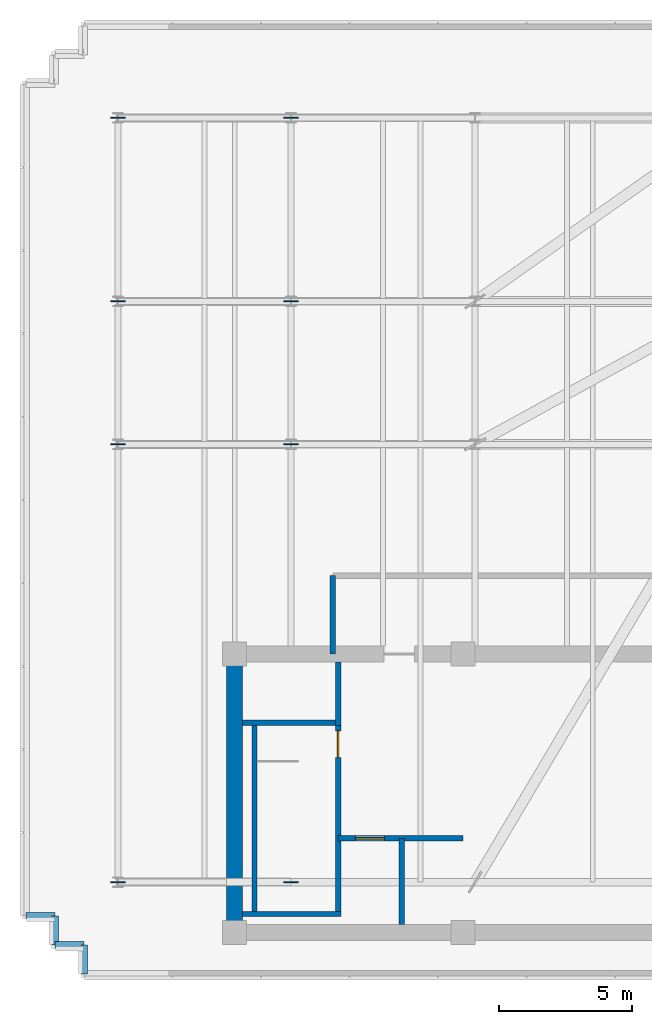
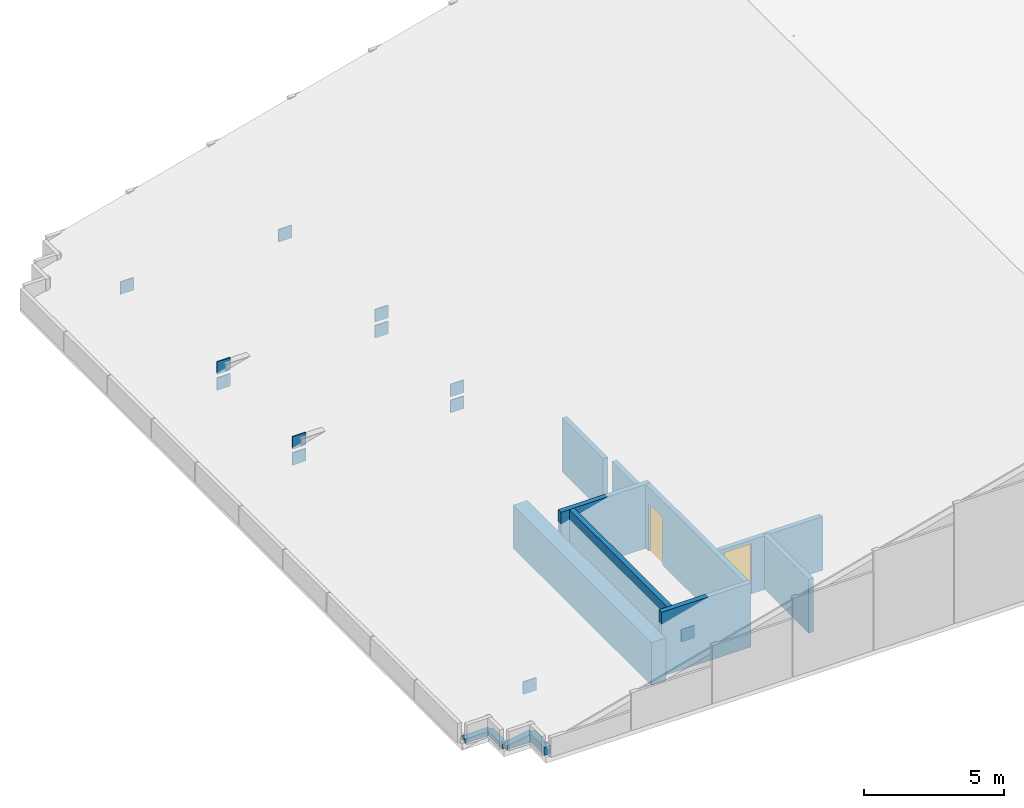
# One storey, part 4 of 6: 13 walls, 12 plates, 2 doors, 2 openings.
"""IFC4 building model written with IfcOpenShell, lengths in metres."""

from ifc_helpers import new_model, si_unit, direction, frame, frame_2d, origin, origin_2d, place, context, subcontext, project, spatial, polyline, rectangle, outline, extrude, material, layer, layer_set, type_object, element, fill, save


model = new_model("IFC4")

# Units and contexts
model_context = context("Model", 3, precision=1e-05, world=origin(), true_north=direction((0.0, 1.0)))
body_context = subcontext(model_context, "Body", "Model", "MODEL_VIEW")
ifc_project = project(units=[si_unit("LENGTHUNIT", "METRE"), si_unit("AREAUNIT", "SQUARE_METRE"), si_unit("VOLUMEUNIT", "CUBIC_METRE"), si_unit("PLANEANGLEUNIT", "RADIAN"), si_unit("MASSUNIT", "GRAM", prefix="KILO")], contexts=[model_context])

# Site, building, storey
site_placement = place(None, origin())
site = spatial("IfcSite", under=ifc_project, at=site_placement, CompositionType="ELEMENT")
building_placement = place(site_placement, origin())
building = spatial("IfcBuilding", under=site, at=building_placement, Name="Solmavex Isthmus Hotel", CompositionType="ELEMENT")
storey_placement = place(building_placement, frame((0.0, 0.0, 308.39990234375)))
storey = spatial("IfcBuildingStorey", under=building, at=storey_placement, Name="Roof", CompositionType="ELEMENT", Elevation=308.39990234375)

# Plates
ifc_material_1 = material(Name="Steel ASTM A572 Grade 50", Category="steel")
ifc_layer_1 = layer(ifc_material_1, 0.0400390625)
ifc_layer_set_1 = layer_set([ifc_layer_1], Name="Steel ASTM A572 Grade 50")
plate_type = type_object("IfcPlateType", Name="PLT-STIFF-40", PredefinedType="USERDEFINED", material=ifc_layer_set_1)
for number, where, z_axis, x_axis, name in (
    (1, (-20.39990234375, -11.10009765625, 0.17529296875), (0.0, 0.0, 1.0), (1.0, 0.0, 0.0), "Crown Hollow Strut End Plate 011"),
    (2, (-13.8720703125, -11.10009765625, 0.17529296875), (0.0, 0.0, 1.0), (1.0, 0.0, 0.0), "Crown Hollow Strut End Plate 012"),
    (3, (-20.39990234375, 5.39990234375, 0.17529296875), (0.0, 0.0, 1.0), (1.0, 0.0, 0.0), "Crown Hollow Strut End Plate 013"),
    (4, (-13.8720703125, 5.39990234375, 0.17529296875), (0.0, 0.0, 1.0), (1.0, 0.0, 0.0), "Crown Hollow Strut End Plate 014"),
    (5, (-20.39990234375, 5.39990234375, 0.875), (0.0, 0.0, 1.0), (1.0, 0.0, 0.0), "Crown Hollow Strut End Plate 015"),
    (6, (-13.8720703125, 5.39990234375, 0.875), (0.0, 0.0, 1.0), (1.0, 0.0, 0.0), "Crown Hollow Strut End Plate 016"),
    (7, (-20.39990234375, 10.7880859375, 0.17529296875), (0.0, 0.0, 1.0), (1.0, 0.0, 0.0), "Crown Hollow Strut End Plate 017"),
    (8, (-13.8720703125, 10.7880859375, 0.17529296875), (0.0, 0.0, 1.0), (1.0, 0.0, 0.0), "Crown Hollow Strut End Plate 018"),
    (9, (-20.39990234375, 10.7880859375, 0.875), (0.0, 0.0, 1.0), (1.0, 0.0, 0.0), "Crown Hollow Strut End Plate 019"),
    (10, (-13.8720703125, 10.7880859375, 0.875), (0.0, 0.0, 1.0), (1.0, 0.0, 0.0), "Crown Hollow Strut End Plate 020"),
    (11, (-20.39990234375, 17.699951171875, 0.17529296875), (0.0, 0.0, 1.0), (1.0, 0.0, 0.0), "Crown Hollow Strut End Plate 021"),
    (12, (-13.8720703125, 17.699951171875, 0.17529296875), (0.0, 0.0, 1.0), (1.0, 0.0, 0.0), "Crown Hollow Strut End Plate 022"),
):
    element("IfcPlate", number, at=place(storey_placement, frame(where, z_axis=z_axis, x_axis=x_axis)), inside=storey, type_object=plate_type, Name=name, ObjectType="STIFFENER_PLATE", PredefinedType="USERDEFINED", context=body_context, shape_type="SweptSolid", body=[
        extrude(rectangle(XDim=0.550048828125, YDim=0.0400390625, at=origin_2d()), origin(), (0.0, 0.0, 1.0), 0.550048828125),
    ])

# Walls
ifc_material_2 = material(Name="Precast Concrete C40/50", Category="concrete")
ifc_layer_2 = layer(ifc_material_2, 0.260009765625)
ifc_layer_set_2 = layer_set([ifc_layer_2], Name="Precast Concrete C40/50")
wall_type_1 = type_object("IfcWallType", Name="EW-CRN-260", PredefinedType="STANDARD", material=ifc_layer_set_2)
wall_1_placement = place(storey_placement, frame((-21.669921875, -14.570068359375, 0.0), z_axis=(0.0, 0.0, 1.0), x_axis=(0.0, 1.0, 0.0)))
element("IfcWall", 13, at=wall_1_placement, inside=storey, type_object=wall_type_1, Name="Sloped Crown Gable Louvre Wall G02", PredefinedType="STANDARD", context=body_context, shape_type="SweptSolid", body=[
    extrude(outline(polyline([(0.0, 0.0), (1.10009765625, 0.0), (1.10009765625, 0.355224609375), (0.0, 0.355224609375), (0.0, 0.0)])), frame((0.0, 0.1298828125, 0.0), z_axis=(0.0, -1.0, 0.0), x_axis=(1.0, 0.0, 0.0)), (0.0, 0.0, 1.0), 0.260009765625),
])
wall_2_placement = place(storey_placement, frame((-21.669921875, -13.469970703125, 0.0), z_axis=(0.0, 0.0, 1.0), x_axis=(-1.0, 0.0, 0.0)))
element("IfcWall", 14, at=wall_2_placement, inside=storey, type_object=wall_type_1, Name="Sloped Crown Gable Louvre Wall G03", PredefinedType="STANDARD", context=body_context, shape_type="SweptSolid", body=[
    extrude(outline(polyline([(0.0, 0.0), (1.10009765625, 0.0), (1.10009765625, 0.18017578125), (0.0, 0.355224609375), (0.0, 0.0)])), frame((0.0, 0.1298828125, 0.0), z_axis=(0.0, -1.0, 0.0), x_axis=(1.0, 0.0, 0.0)), (0.0, 0.0, 1.0), 0.260009765625),
])
wall_3_placement = place(storey_placement, frame((-22.77001953125, -13.469970703125, 0.0), z_axis=(0.0, 0.0, 1.0), x_axis=(0.0, 1.0, 0.0)))
element("IfcWall", 15, at=wall_3_placement, inside=storey, type_object=wall_type_1, Name="Sloped Crown Gable Louvre Wall G04", PredefinedType="STANDARD", context=body_context, shape_type="SweptSolid", body=[
    extrude(outline(polyline([(0.0, 0.0), (1.099853515625, 0.0), (1.10009765625, 0.18017578125), (0.0, 0.18017578125), (0.0, 0.0)])), frame((0.0, 0.1298828125, 0.0), z_axis=(0.0, -1.0, 0.0), x_axis=(1.0, 0.0, 0.0)), (0.0, 0.0, 1.0), 0.260009765625),
])
wall_4_placement = place(storey_placement, frame((-22.77001953125, -12.3701171875, 0.0), z_axis=(0.0, 0.0, 1.0), x_axis=(-1.0, 0.0, 0.0)))
element("IfcWall", 16, at=wall_4_placement, inside=storey, type_object=wall_type_1, Name="Sloped Crown Gable Louvre Wall G05", PredefinedType="STANDARD", context=body_context, shape_type="SweptSolid", body=[
    extrude(outline(polyline([(0.0, 0.0), (1.10009765625, 0.0), (1.10009765625, 0.18017578125), (0.0, 0.18017578125), (0.0, 0.0)])), frame((0.0, 0.1298828125, 0.0), z_axis=(0.0, -1.0, 0.0), x_axis=(1.0, 0.0, 0.0)), (0.0, 0.0, 1.0), 0.260009765625),
])
ifc_material_3 = material(Name="Concrete C40/50", Category="concrete")
ifc_layer_3 = layer(ifc_material_3, 0.199951171875)
ifc_layer_set_3 = layer_set([ifc_layer_3], Name="Concrete C40/50")
wall_type_2 = type_object("IfcWallType", Name="IW-SHAFT-200", PredefinedType="PARTITIONING", material=ifc_layer_set_3)
wall_5_placement = place(storey_placement, frame((-12.10009765625, -5.199951171875, 0.0), z_axis=(0.0, 0.0, 1.0), x_axis=(0.0, 1.0, 0.0)))
element("IfcWall", 17, at=wall_5_placement, inside=storey, type_object=wall_type_2, Name="Interior Partition Wall W-Roof-RSW-E", PredefinedType="PARTITIONING", context=body_context, shape_type="SweptSolid", body=[
    extrude(rectangle(XDim=2.39990234375, YDim=0.199951171875, at=frame_2d((1.199951171875, 0.0))), origin(), (0.0, 0.0, 1.0), 2.35009765625),
])

# Wall, opening, door
wall_6_placement = place(storey_placement, frame((-12.10009765625, -9.449951171875, 0.0), z_axis=(0.0, 0.0, 1.0), x_axis=(1.0, 0.0, 0.0)))
wall_6 = element("IfcWall", 18, at=wall_6_placement, inside=storey, type_object=wall_type_2, Name="Interior Partition Wall W-Roof-FFLW-S", PredefinedType="PARTITIONING", context=body_context, shape_type="SweptSolid", body=[
    extrude(rectangle(XDim=4.7001953125, YDim=0.199951171875, at=frame_2d((2.35009765625, 0.0))), origin(), (0.0, 0.0, 1.0), 2.35009765625),
])
opening_1_placement = place(wall_6_placement, frame((0.64990234375, 0.0, 0.0)))
opening_1 = element("IfcOpeningElement", 19, at=opening_1_placement, cuts=wall_6, Name="Opening LD-FF", PredefinedType="OPENING", context=body_context, shape_type="SweptSolid", body=[
    extrude(rectangle(XDim=1.10009765625, YDim=2.199951171875, at=frame_2d((0.550048828125, 1.10009765625))), frame((0.0, 0.10986328125, 0.0), z_axis=(0.0, -1.0, 0.0), x_axis=(1.0, 0.0, 0.0)), (0.0, 0.0, 1.0), 0.219970703125),
])
ifc_material_4 = material(Name="Stainless steel 316", Category="steel")
door_type_1 = type_object("IfcDoorType", Name="LDR-FF-1100", OperationType="NOTDEFINED", PredefinedType="DOOR", material=ifc_material_4)
door_1_placement = place(opening_1_placement, origin())
door_1 = element("IfcDoor", 20, at=door_1_placement, inside=storey, type_object=door_type_1, Name="Lift Landing Door FFL-1 Roof", OperationType="SLIDING_TO_LEFT", OverallHeight=2.199951171875, OverallWidth=1.10009765625, PredefinedType="DOOR", context=body_context, shape_type="SweptSolid", body=[
    extrude(rectangle(XDim=1.10009765625, YDim=2.199951171875, at=frame_2d((0.550048828125, 1.10009765625))), frame((0.0, 0.02490234375, 0.0), z_axis=(0.0, -1.0, 0.0), x_axis=(1.0, 0.0, 0.0)), (0.0, 0.0, 1.0), 0.050048828125),
])
fill(opening_1, door_1)

# Walls
wall_7_placement = place(storey_placement, frame((-9.699951171875, -12.699951171875, 0.0), z_axis=(0.0, 0.0, 1.0), x_axis=(0.0, 1.0, 0.0)))
element("IfcWall", 21, at=wall_7_placement, inside=storey, type_object=wall_type_2, Name="Interior Partition Wall W-Roof-FFLW-M", PredefinedType="PARTITIONING", context=body_context, shape_type="SweptSolid", body=[
    extrude(rectangle(XDim=3.25, YDim=0.199951171875, at=frame_2d((1.625, 0.0))), origin(), (0.0, 0.0, 1.0), 2.35009765625),
])
wall_8_placement = place(storey_placement, frame((-12.300048828125, -2.5, 0.0), z_axis=(0.0, 0.0, 1.0), x_axis=(0.0, 1.0, 0.0)))
element("IfcWall", 22, at=wall_8_placement, inside=storey, type_object=wall_type_2, Name="Interior Partition Wall W-Roof-MLOB-W", PredefinedType="PARTITIONING", context=body_context, shape_type="SweptSolid", body=[
    extrude(rectangle(XDim=2.949951171875, YDim=0.199951171875, at=frame_2d((1.47509765625, 0.0))), origin(), (0.0, 0.0, 1.0), 2.35009765625),
])
ifc_material_5 = material(Name="Concrete C50/60", Category="concrete")
ifc_layer_4 = layer(ifc_material_5, 0.60009765625)
ifc_layer_set_4 = layer_set([ifc_layer_4], Name="Concrete C50/60")
wall_type_3 = type_object("IfcWallType", Name="WALL-CW-600", PredefinedType="SHEAR", material=ifc_layer_set_4)
wall_9_placement = place(storey_placement, frame((-16.0, -12.699951171875, 0.0), z_axis=(0.0, 0.0, 1.0), x_axis=(0.0, 1.0, 0.0)))
element("IfcWall", 23, at=wall_9_placement, inside=storey, type_object=wall_type_3, Name="Core Shear Wall W Roof", PredefinedType="SHEAR", context=body_context, shape_type="SweptSolid", body=[
    extrude(rectangle(XDim=9.89990234375, YDim=0.60009765625, at=frame_2d((4.949951171875, 0.0))), origin(), (0.0, 0.0, 1.0), 1.87451171875),
])
ifc_layer_5 = layer(ifc_material_3, 0.199951171875)
ifc_layer_set_5 = layer_set([ifc_layer_5], Name="Concrete C40/50")
wall_type_4 = type_object("IfcWallType", Name="WALL-SW-200", PredefinedType="SOLIDWALL", material=ifc_layer_set_5)
for number, where, z_axis, x_axis, name in (
    (24, (-15.699951171875, -12.300048828125, 0.0), (0.0, 0.0, 1.0), (1.0, 0.0, 0.0), "Stairwell Structural Wall SW-Roof-ST1-S"),
    (25, (-15.699951171875, -5.10009765625, 0.0), (0.0, 0.0, 1.0), (1.0, 0.0, 0.0), "Stairwell Structural Wall SW-Roof-ST1-N"),
):
    element("IfcWall", number, at=place(storey_placement, frame(where, z_axis=z_axis, x_axis=x_axis)), inside=storey, type_object=wall_type_4, Name=name, PredefinedType="SOLIDWALL", context=body_context, shape_type="SweptSolid", body=[
        extrude(rectangle(XDim=3.699951171875, YDim=0.199951171875, at=frame_2d((1.85009765625, 0.0))), origin(), (0.0, 0.0, 1.0), 2.800048828125),
    ])
wall_10_placement = place(storey_placement, frame((-15.25, -12.199951171875, 0.0), z_axis=(0.0, 0.0, 1.0), x_axis=(0.0, 1.0, 0.0)))
element("IfcWall", 26, at=wall_10_placement, inside=storey, type_object=wall_type_4, Name="Stairwell Structural Wall SW-Roof-ST1-W", PredefinedType="SOLIDWALL", context=body_context, shape_type="SweptSolid", body=[
    extrude(rectangle(XDim=7.0, YDim=0.199951171875, at=frame_2d((3.5, 0.0))), origin(), (0.0, 0.0, 1.0), 2.800048828125),
])

# Wall, opening, door
wall_11_placement = place(storey_placement, frame((-12.10009765625, -12.199951171875, 0.0), z_axis=(0.0, 0.0, 1.0), x_axis=(0.0, 1.0, 0.0)))
wall_11 = element("IfcWall", 27, at=wall_11_placement, inside=storey, type_object=wall_type_4, Name="Stairwell Structural Wall SW-Roof-ST1-E", PredefinedType="SOLIDWALL", context=body_context, shape_type="SweptSolid", body=[
    extrude(rectangle(XDim=7.0, YDim=0.199951171875, at=frame_2d((3.5, 0.0))), origin(), (0.0, 0.0, 1.0), 2.800048828125),
])
opening_2_placement = place(wall_11_placement, frame((5.800048828125, 0.0, 0.0)))
opening_2 = element("IfcOpeningElement", 28, at=opening_2_placement, cuts=wall_11, Name="Opening ID-F100", PredefinedType="OPENING", context=body_context, shape_type="SweptSolid", body=[
    extrude(rectangle(XDim=1.0, YDim=2.10009765625, at=frame_2d((0.5, 1.050048828125))), frame((0.0, 0.10986328125, 0.0), z_axis=(0.0, -1.0, 0.0), x_axis=(1.0, 0.0, 0.0)), (0.0, 0.0, 1.0), 0.219970703125),
])
ifc_material_6 = material(Name="Steel ASTM A500 Grade C", Category="steel")
door_type_2 = type_object("IfcDoorType", Name="IDR-FD90-1000", OperationType="NOTDEFINED", PredefinedType="DOOR", material=ifc_material_6)
door_2_placement = place(opening_2_placement, frame((1.0, 0.0, 0.0), z_axis=(0.0, 0.0, 1.0), x_axis=(-1.0, 0.0, 0.0)))
door_2 = element("IfcDoor", 29, at=door_2_placement, inside=storey, type_object=door_type_2, Name="Stair ST-1 Roof Maintenance Door", OperationType="SINGLE_SWING_LEFT", OverallHeight=2.10009765625, OverallWidth=1.0, PredefinedType="DOOR", context=body_context, shape_type="SweptSolid", body=[
    extrude(rectangle(XDim=1.0, YDim=2.10009765625, at=frame_2d((0.5, 1.050048828125))), frame((0.0, 0.02490234375, 0.0), z_axis=(0.0, -1.0, 0.0), x_axis=(1.0, 0.0, 0.0)), (0.0, 0.0, 1.0), 0.050048828125),
])
fill(opening_2, door_2)

save(model, "model.ifc")
